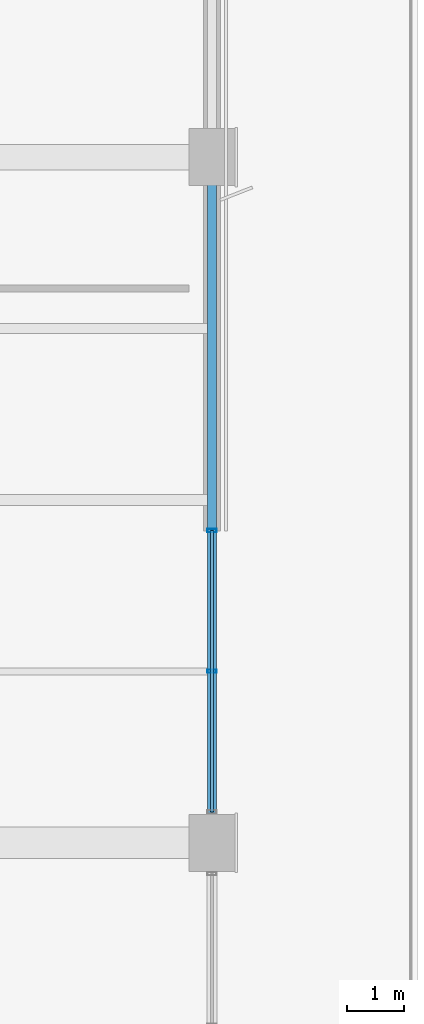
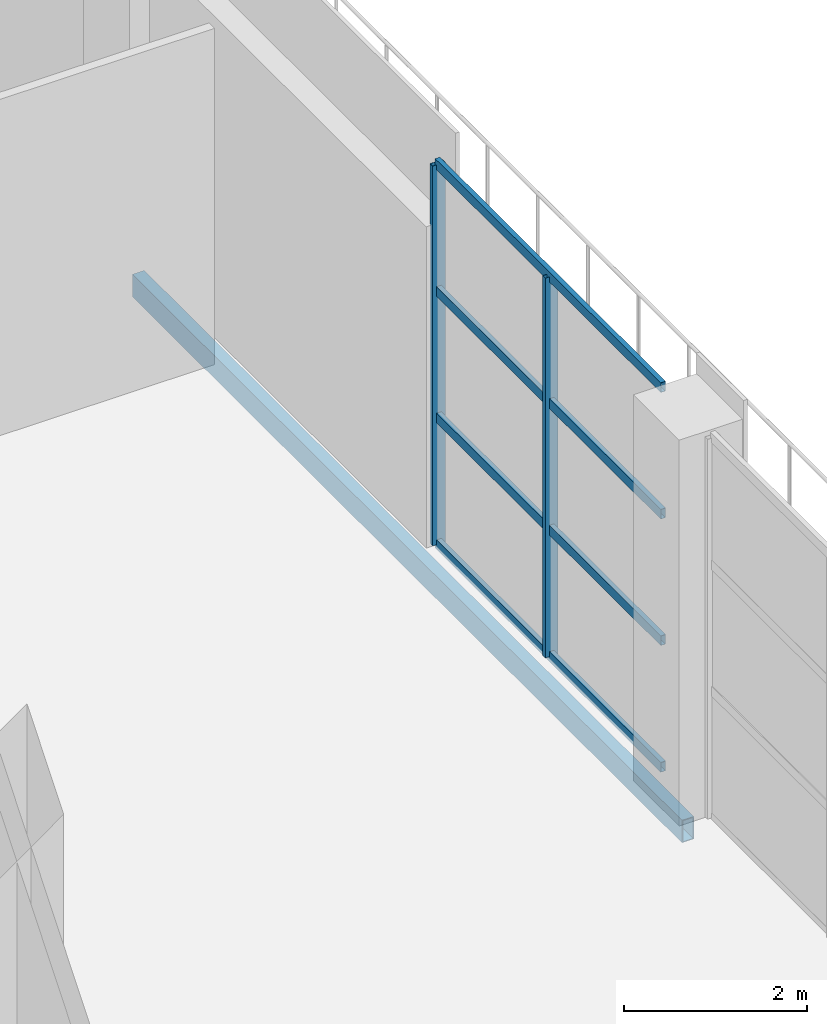
# One storey, part 21 of 90: 6 members, 1 beam, 1 element without a shape of its own.
"""IFC4 building model written with IfcOpenShell, lengths in metres."""

from ifc_helpers import new_model, si_unit, direction, frame, origin, origin_2d, place, context, subcontext, project, spatial, hollow_rectangle, extrude, material, material_profile, profile_set, type_object, element, aggregate, save


model = new_model("IFC4")

# Units and contexts
model_context = context("Model", 3, precision=1e-05, world=origin(), true_north=direction((0.0, 1.0)))
body_context = subcontext(model_context, "Body", "Model", "MODEL_VIEW")
ifc_project = project(units=[si_unit("LENGTHUNIT", "METRE"), si_unit("AREAUNIT", "SQUARE_METRE"), si_unit("VOLUMEUNIT", "CUBIC_METRE"), si_unit("PLANEANGLEUNIT", "RADIAN"), si_unit("MASSUNIT", "GRAM", prefix="KILO")], contexts=[model_context])

# Site, building, storey
site_placement = place(None, origin())
site = spatial("IfcSite", under=ifc_project, at=site_placement, CompositionType="ELEMENT")
building_placement = place(site_placement, origin())
building = spatial("IfcBuilding", under=site, at=building_placement, Name="Solvikara Media Centre", CompositionType="ELEMENT")
storey_placement = place(building_placement, origin())
storey = spatial("IfcBuildingStorey", under=building, at=storey_placement, Name="L00", CompositionType="ELEMENT", Elevation=0.0)

# Beam
ifc_material_1 = material(Name="Steel S355JR", Category="steel")
ifc_material_profile_1 = material_profile(ifc_material_1, hollow_rectangle(XDim=0.14990234375, YDim=0.300048828125, WallThickness=0.010009765625, at=origin_2d()), Name="RHS 300x150x10")
ifc_profile_set_1 = profile_set([ifc_material_profile_1], Name="Steel S355JR")
beam_type = type_object("IfcBeamType", Name="BM-35", PredefinedType="BEAM", material=ifc_profile_set_1)
beam_placement = place(storey_placement, frame((34.0, 56.5, -0.491943359375), z_axis=(0.0, 1.0, 0.0), x_axis=(-1.0, 0.0, 0.0)))
element("IfcBeam", 1, at=beam_placement, inside=storey, type_object=beam_type, Name="B-L00-Y0155", PredefinedType="BEAM", context=body_context, shape_type="SweptSolid", body=[
    extrude(hollow_rectangle(XDim=0.14990234375, YDim=0.300048828125, WallThickness=0.010009765625, at=origin_2d()), origin(), (0.0, 0.0, 1.0), 12.0),
])

# Curtain wall, members
ifc_material_2 = material(Name="Anodised aluminium EN AW-6063", Category="aluminium")
curtain_wall_type = type_object("IfcCurtainWallType", Name="CW-06", PredefinedType="NOTDEFINED", material=ifc_material_2)
curtain_wall_placement = place(storey_placement, origin())
curtain_wall = element("IfcCurtainWall", 2, at=curtain_wall_placement, inside=storey, type_object=curtain_wall_type, Name="CW-L00-V4E-1-S2", PredefinedType="NOTDEFINED")
ifc_material_profile_2 = material_profile(ifc_material_2, hollow_rectangle(XDim=0.06005859375, YDim=0.159912109375, WallThickness=0.00341796875, at=origin_2d()), Name="ALU-M 60x160x3.5")
ifc_profile_set_2 = profile_set([ifc_material_profile_2], Name="Anodised aluminium EN AW-6063")
member_type_1 = type_object("IfcMemberType", Name="MF-04", PredefinedType="MULLION", material=ifc_profile_set_2)
member_1_placement = place(storey_placement, frame((34.0, 59.5029296875, 0.02001953125), z_axis=(0.0, 0.0, 1.0), x_axis=(0.0, 1.0, 0.0)))
member_1 = element("IfcMember", 3, at=member_1_placement, type_object=member_type_1, Name="CW-L00-V4E-1-S2-M01", PredefinedType="MULLION", context=body_context, shape_type="SweptSolid", body=[
    extrude(hollow_rectangle(XDim=0.06005859375, YDim=0.159912109375, WallThickness=0.00341796875, at=origin_2d()), origin(), (0.0, 0.0, 1.0), 5.06005859375),
])
member_2_placement = place(storey_placement, frame((34.0, 61.965087890625, 0.02001953125), z_axis=(0.0, 0.0, 1.0), x_axis=(0.0, 1.0, 0.0)))
member_2 = element("IfcMember", 4, at=member_2_placement, type_object=member_type_1, Name="CW-L00-V4E-1-S2-M02", PredefinedType="MULLION", context=body_context, shape_type="SweptSolid", body=[
    extrude(hollow_rectangle(XDim=0.06005859375, YDim=0.159912109375, WallThickness=0.00341796875, at=origin_2d()), origin(), (0.0, 0.0, 1.0), 5.06005859375),
])
ifc_material_profile_3 = material_profile(ifc_material_2, hollow_rectangle(XDim=0.06005859375, YDim=0.1298828125, WallThickness=0.0029296875, at=origin_2d()), Name="ALU-T 60x130x3")
ifc_profile_set_3 = profile_set([ifc_material_profile_3], Name="Anodised aluminium EN AW-6063")
member_type_2 = type_object("IfcMemberType", Name="MF-10", PredefinedType="USERDEFINED", material=ifc_profile_set_3)
member_3_placement = place(storey_placement, frame((34.0, 57.0400390625, 0.02001953125), z_axis=(0.0, 1.0, 0.0), x_axis=(-1.0, 0.0, 0.0)))
member_3 = element("IfcMember", 5, at=member_3_placement, type_object=member_type_2, Name="CW-L00-V4E-1-S2-T00", ObjectType="TRANSOM", PredefinedType="USERDEFINED", context=body_context, shape_type="SweptSolid", body=[
    extrude(hollow_rectangle(XDim=0.06005859375, YDim=0.1298828125, WallThickness=0.0029296875, at=origin_2d()), origin(), (0.0, 0.0, 1.0), 4.925048828125),
])
member_4_placement = place(storey_placement, frame((34.0, 57.0400390625, 1.70703125), z_axis=(0.0, 1.0, 0.0), x_axis=(-1.0, 0.0, 0.0)))
member_4 = element("IfcMember", 6, at=member_4_placement, type_object=member_type_2, Name="CW-L00-V4E-1-S2-T01", ObjectType="TRANSOM", PredefinedType="USERDEFINED", context=body_context, shape_type="SweptSolid", body=[
    extrude(hollow_rectangle(XDim=0.06005859375, YDim=0.1298828125, WallThickness=0.0029296875, at=origin_2d()), origin(), (0.0, 0.0, 1.0), 4.925048828125),
])
member_5_placement = place(storey_placement, frame((34.0, 57.0400390625, 3.39306640625), z_axis=(0.0, 1.0, 0.0), x_axis=(-1.0, 0.0, 0.0)))
member_5 = element("IfcMember", 7, at=member_5_placement, type_object=member_type_2, Name="CW-L00-V4E-1-S2-T02", ObjectType="TRANSOM", PredefinedType="USERDEFINED", context=body_context, shape_type="SweptSolid", body=[
    extrude(hollow_rectangle(XDim=0.06005859375, YDim=0.1298828125, WallThickness=0.0029296875, at=origin_2d()), origin(), (0.0, 0.0, 1.0), 4.925048828125),
])
member_6_placement = place(storey_placement, frame((34.0, 57.0400390625, 5.080078125), z_axis=(0.0, 1.0, 0.0), x_axis=(-1.0, 0.0, 0.0)))
member_6 = element("IfcMember", 8, at=member_6_placement, type_object=member_type_2, Name="CW-L00-V4E-1-S2-T03", ObjectType="TRANSOM", PredefinedType="USERDEFINED", context=body_context, shape_type="SweptSolid", body=[
    extrude(hollow_rectangle(XDim=0.06005859375, YDim=0.1298828125, WallThickness=0.0029296875, at=origin_2d()), origin(), (0.0, 0.0, 1.0), 4.925048828125),
])
aggregate(curtain_wall, [member_1, member_2, member_3, member_4, member_5, member_6])

save(model, "model.ifc")
